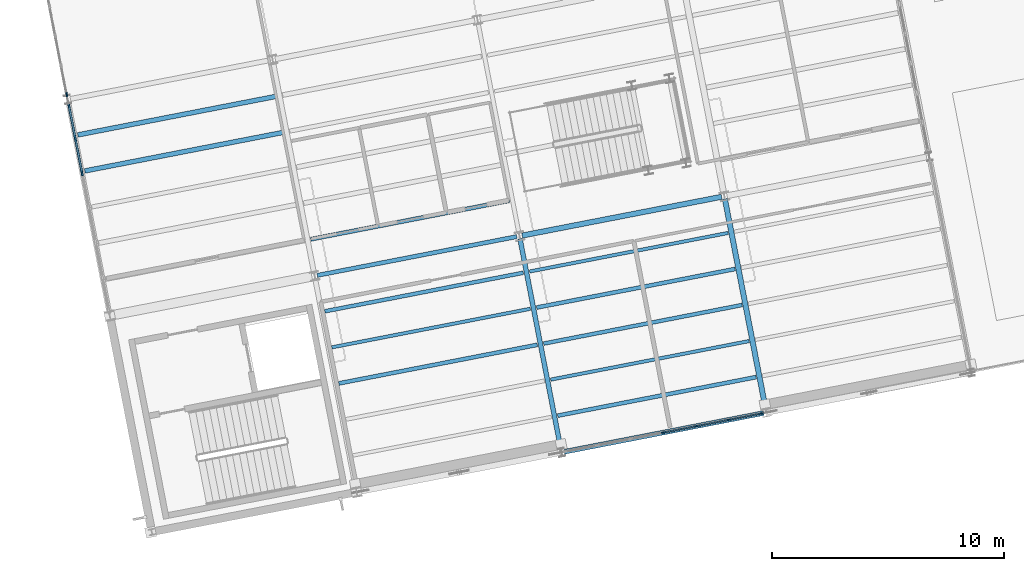
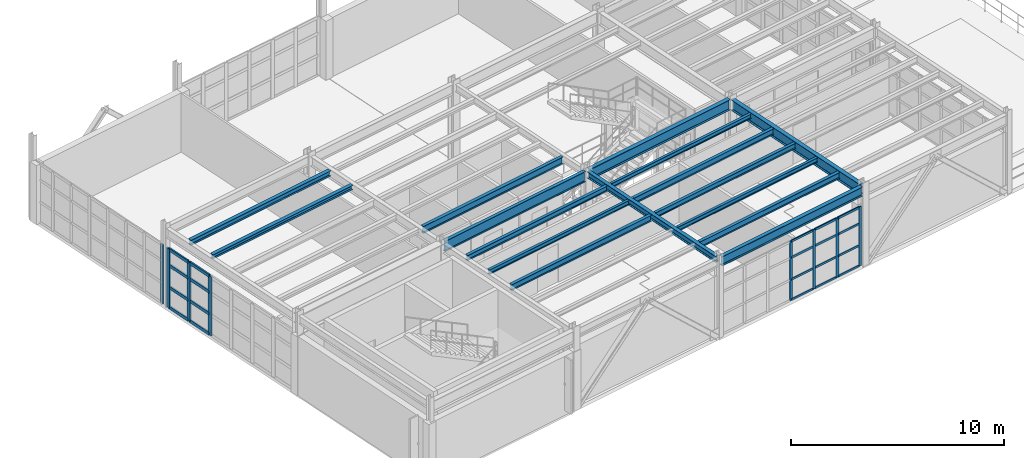
# One storey, part 21 of 109: 28 members, 16 beams, 3 elements without a shape of their own.
"""IFC4 building model written with IfcOpenShell, lengths in metres."""

from ifc_helpers import new_model, si_unit, direction, frame, origin, origin_2d, place, context, subcontext, project, spatial, rectangle, i_section, extrude, material, layer, layer_set, material_profile, profile_set, type_object, element, aggregate, save


model = new_model("IFC4")

# Units and contexts
model_context = context("Model", 3, precision=1e-05, world=origin(), true_north=direction((0.0, 1.0)))
body_context = subcontext(model_context, "Body", "Model", "MODEL_VIEW")
ifc_project = project(units=[si_unit("LENGTHUNIT", "METRE"), si_unit("AREAUNIT", "SQUARE_METRE"), si_unit("VOLUMEUNIT", "CUBIC_METRE"), si_unit("PLANEANGLEUNIT", "RADIAN"), si_unit("MASSUNIT", "GRAM", prefix="KILO")], contexts=[model_context])

# Site, building, storey
site_placement = place(None, origin())
site = spatial("IfcSite", under=ifc_project, at=site_placement, CompositionType="ELEMENT")
building_placement = place(site_placement, origin())
building = spatial("IfcBuilding", under=site, at=building_placement, Name="Vireo Bluff Cable Station", CompositionType="ELEMENT")
storey_placement = place(building_placement, frame((0.0, 0.0, 4.800048828125)))
storey = spatial("IfcBuildingStorey", under=building, at=storey_placement, Name="L01", CompositionType="ELEMENT", Elevation=4.800048828125)

# Beam
ifc_material_1 = material(Name="Steel ASTM A992 Gr. 50", Category="steel")
ifc_material_profile_1 = material_profile(ifc_material_1, i_section(OverallWidth=0.2041015625, OverallDepth=0.35009765625, WebThickness=0.008544921875, FlangeThickness=0.01513671875, FilletRadius=0.010009765625, at=origin_2d()), Name="W14X48")
ifc_profile_set_1 = profile_set([ifc_material_profile_1], Name="Steel ASTM A992 Gr. 50")
beam_type_1 = type_object("IfcBeamType", Name="BM-W14X48", PredefinedType="BEAM", material=ifc_profile_set_1)
beam_1_placement = place(storey_placement, frame((27.146484375, 9.05224609375, 4.364990234375), z_axis=(-0.190825202135, 0.981624033034, 0.0), x_axis=(-0.981624033034, -0.190825202135, 0.0)))
element("IfcBeam", 1, at=beam_1_placement, inside=storey, type_object=beam_type_1, Name="V5 L01 beam 1208", PredefinedType="BEAM", context=body_context, shape_type="SweptSolid", body=[
    extrude(i_section(OverallWidth=0.2041015625, OverallDepth=0.35009765625, WebThickness=0.008544921875, FlangeThickness=0.01513671875, FilletRadius=0.010009765625, at=origin_2d()), origin(), (0.0, 0.0, 1.0), 9.26025390625),
])

# Curtain wall, member
ifc_material_2 = material(Name="Anodized Aluminium 6063-T6", Category="aluminium")
ifc_layer_1 = layer(ifc_material_2, 0.179931640625, Name="Anodized Aluminium 6063-T6")
ifc_layer_set_1 = layer_set([ifc_layer_1], Name="Anodized Aluminium 6063-T6")
curtain_wall_type_1 = type_object("IfcCurtainWallType", Name="CW-UNIT-1400", PredefinedType="USERDEFINED", material=ifc_layer_set_1)
curtain_wall_1_placement = place(storey_placement, origin())
curtain_wall_1 = element("IfcCurtainWall", 2, at=curtain_wall_1_placement, inside=storey, type_object=curtain_wall_type_1, Name="V5 L01 west curtain wall CW-120", ObjectType="UNITISED CURTAIN WALL", PredefinedType="USERDEFINED")
ifc_material_profile_2 = material_profile(ifc_material_2, rectangle(XDim=0.06494140625, YDim=0.179931640625, at=origin_2d()), Name="ALU-M-65X180")
ifc_profile_set_2 = profile_set([ifc_material_profile_2], Name="Anodized Aluminium 6063-T6")
member_type_1 = type_object("IfcMemberType", Name="CWM-01", PredefinedType="MULLION", material=ifc_profile_set_2)
member_1_placement = place(storey_placement, frame((5.83349609375, 24.363037109375, 0.0), z_axis=(0.0, 0.0, 1.0), x_axis=(-0.981627182565, -0.190808999917, 0.0)))
member_1 = element("IfcMember", 3, at=member_1_placement, type_object=member_type_1, Name="CW-120 mullion 1", PredefinedType="MULLION", context=body_context, shape_type="SweptSolid", body=[
    extrude(rectangle(XDim=0.06494140625, YDim=0.179931640625, at=origin_2d()), origin(), (0.0, 0.0, 1.0), 3.39990234375),
])
aggregate(curtain_wall_1, [member_1])

# Curtain wall, members
ifc_layer_2 = layer(ifc_material_2, 0.179931640625, Name="Anodized Aluminium 6063-T6")
ifc_layer_set_2 = layer_set([ifc_layer_2], Name="Anodized Aluminium 6063-T6")
curtain_wall_type_2 = type_object("IfcCurtainWallType", Name="CW-UNIT-1500", PredefinedType="USERDEFINED", material=ifc_layer_set_2)
curtain_wall_2_placement = place(storey_placement, origin())
curtain_wall_2 = element("IfcCurtainWall", 4, at=curtain_wall_2_placement, inside=storey, type_object=curtain_wall_type_2, Name="V5 L01 south curtain wall CW-118", ObjectType="UNITISED CURTAIN WALL", PredefinedType="USERDEFINED")
ifc_material_profile_3 = material_profile(ifc_material_2, rectangle(XDim=0.06005859375, YDim=0.159912109375, at=origin_2d()), Name="ALU-M-60X160")
ifc_profile_set_3 = profile_set([ifc_material_profile_3], Name="Anodized Aluminium 6063-T6")
member_type_2 = type_object("IfcMemberType", Name="CWM-03", PredefinedType="MULLION", material=ifc_profile_set_3)
member_2_placement = place(storey_placement, frame((35.791015625, 10.6103515625, 0.0), z_axis=(0.0, 0.0, 1.0), x_axis=(0.190809095431, -0.981627163999, 0.0)))
member_2 = element("IfcMember", 5, at=member_2_placement, type_object=member_type_2, Name="CW-118 mullion 1", PredefinedType="MULLION", context=body_context, shape_type="SweptSolid", body=[
    extrude(rectangle(XDim=0.06005859375, YDim=0.159912109375, at=origin_2d()), origin(), (0.0, 0.0, 1.0), 3.39990234375),
])
member_3_placement = place(storey_placement, frame((34.39990234375, 10.340087890625, 0.0), z_axis=(0.0, 0.0, 1.0), x_axis=(0.190809095431, -0.981627163999, 0.0)))
member_3 = element("IfcMember", 6, at=member_3_placement, type_object=member_type_2, Name="CW-118 mullion 2", PredefinedType="MULLION", context=body_context, shape_type="SweptSolid", body=[
    extrude(rectangle(XDim=0.06005859375, YDim=0.159912109375, at=origin_2d()), origin(), (0.0, 0.0, 1.0), 3.39990234375),
])
member_4_placement = place(storey_placement, frame((32.9794921875, 10.06396484375, 0.0), z_axis=(0.0, 0.0, 1.0), x_axis=(0.190809095431, -0.981627163999, 0.0)))
member_4 = element("IfcMember", 7, at=member_4_placement, type_object=member_type_2, Name="CW-118 mullion 3", PredefinedType="MULLION", context=body_context, shape_type="SweptSolid", body=[
    extrude(rectangle(XDim=0.06005859375, YDim=0.159912109375, at=origin_2d()), origin(), (0.0, 0.0, 1.0), 3.39990234375),
])
member_5_placement = place(storey_placement, frame((31.558837890625, 9.787841796875, 0.0), z_axis=(0.0, 0.0, 1.0), x_axis=(0.190809095431, -0.981627163999, 0.0)))
member_5 = element("IfcMember", 8, at=member_5_placement, type_object=member_type_2, Name="CW-118 mullion 4", PredefinedType="MULLION", context=body_context, shape_type="SweptSolid", body=[
    extrude(rectangle(XDim=0.06005859375, YDim=0.159912109375, at=origin_2d()), origin(), (0.0, 0.0, 1.0), 3.39990234375),
])

ifc_layer_3 = layer(ifc_material_2, 0.179931640625, Name="Anodized Aluminium 6063-T6")
ifc_layer_set_3 = layer_set([ifc_layer_3], Name="Anodized Aluminium 6063-T6")
curtain_wall_type_3 = type_object("IfcCurtainWallType", Name="CW-UNIT-1650", PredefinedType="USERDEFINED", material=ifc_layer_set_3)
curtain_wall_3_placement = place(storey_placement, origin())
curtain_wall_3 = element("IfcCurtainWall", 9, at=curtain_wall_3_placement, inside=storey, type_object=curtain_wall_type_3, Name="V5 L01 west curtain wall CW-119", ObjectType="UNITISED CURTAIN WALL", PredefinedType="USERDEFINED")
ifc_material_profile_4 = material_profile(ifc_material_2, rectangle(XDim=0.080078125, YDim=0.239990234375, at=origin_2d()), Name="ALU-M-80X240")
ifc_profile_set_4 = profile_set([ifc_material_profile_4], Name="Anodized Aluminium 6063-T6")
member_type_3 = type_object("IfcMemberType", Name="CWM-04", PredefinedType="MULLION", material=ifc_profile_set_4)
member_6_placement = place(storey_placement, frame((6.49072265625, 20.98193359375, 0.0), z_axis=(0.0, 0.0, 1.0), x_axis=(-0.981627201165, -0.190808904231, 0.0)))
member_6 = element("IfcMember", 10, at=member_6_placement, type_object=member_type_3, Name="CW-119 mullion 5", PredefinedType="MULLION", context=body_context, shape_type="SweptSolid", body=[
    extrude(rectangle(XDim=0.080078125, YDim=0.239990234375, at=origin_2d()), origin(), (0.0, 0.0, 1.0), 3.39990234375),
])
member_7_placement = place(storey_placement, frame((6.2001953125, 22.476318359375, 0.0), z_axis=(0.0, 0.0, 1.0), x_axis=(-0.981627201165, -0.190808904231, 0.0)))
member_7 = element("IfcMember", 11, at=member_7_placement, type_object=member_type_3, Name="CW-119 mullion 6", PredefinedType="MULLION", context=body_context, shape_type="SweptSolid", body=[
    extrude(rectangle(XDim=0.080078125, YDim=0.239990234375, at=origin_2d()), origin(), (0.0, 0.0, 1.0), 3.39990234375),
])
member_8_placement = place(storey_placement, frame((5.917236328125, 23.931640625, 0.0), z_axis=(0.0, 0.0, 1.0), x_axis=(-0.981627201165, -0.190808904231, 0.0)))
member_8 = element("IfcMember", 12, at=member_8_placement, type_object=member_type_3, Name="CW-119 mullion 7", PredefinedType="MULLION", context=body_context, shape_type="SweptSolid", body=[
    extrude(rectangle(XDim=0.080078125, YDim=0.239990234375, at=origin_2d()), origin(), (0.0, 0.0, 1.0), 3.39990234375),
])

# Member
ifc_material_profile_5 = material_profile(ifc_material_2, rectangle(XDim=0.06005859375, YDim=0.1201171875, at=origin_2d()), Name="ALU-T-60X120")
ifc_profile_set_5 = profile_set([ifc_material_profile_5], Name="Anodized Aluminium 6063-T6")
member_type_4 = type_object("IfcMemberType", Name="CWT-03", PredefinedType="USERDEFINED", material=ifc_profile_set_5)
member_9_placement = place(storey_placement, frame((35.761474609375, 10.604736328125, 0.030029296875), z_axis=(-0.981611644055, -0.19088892125, 0.0), x_axis=(0.19088892125, -0.981611644055, 0.0)))
member_9 = element("IfcMember", 13, at=member_9_placement, type_object=member_type_4, Name="CW-118 transom 1.1", ObjectType="TRANSOM", PredefinedType="USERDEFINED", context=body_context, shape_type="SweptSolid", body=[
    extrude(rectangle(XDim=0.06005859375, YDim=0.1201171875, at=origin_2d()), origin(), (0.0, 0.0, 1.0), 1.35693359375),
])

member_10_placement = place(storey_placement, frame((35.761474609375, 10.604736328125, 1.18994140625), z_axis=(-0.981611644055, -0.19088892125, 0.0), x_axis=(0.19088892125, -0.981611644055, 0.0)))
member_10 = element("IfcMember", 14, at=member_10_placement, type_object=member_type_4, Name="CW-118 transom 1.2", ObjectType="TRANSOM", PredefinedType="USERDEFINED", context=body_context, shape_type="SweptSolid", body=[
    extrude(rectangle(XDim=0.06005859375, YDim=0.1201171875, at=origin_2d()), origin(), (0.0, 0.0, 1.0), 1.35693359375),
])

member_11_placement = place(storey_placement, frame((35.761474609375, 10.604736328125, 2.447998046875), z_axis=(-0.981611644055, -0.19088892125, 0.0), x_axis=(0.19088892125, -0.981611644055, 0.0)))
member_11 = element("IfcMember", 15, at=member_11_placement, type_object=member_type_4, Name="CW-118 transom 1.3", ObjectType="TRANSOM", PredefinedType="USERDEFINED", context=body_context, shape_type="SweptSolid", body=[
    extrude(rectangle(XDim=0.06005859375, YDim=0.1201171875, at=origin_2d()), origin(), (0.0, 0.0, 1.0), 1.35693359375),
])

member_12_placement = place(storey_placement, frame((35.761474609375, 10.604736328125, 3.369873046875), z_axis=(-0.981611644055, -0.19088892125, 0.0), x_axis=(0.19088892125, -0.981611644055, 0.0)))
member_12 = element("IfcMember", 16, at=member_12_placement, type_object=member_type_4, Name="CW-118 transom 1.4", ObjectType="TRANSOM", PredefinedType="USERDEFINED", context=body_context, shape_type="SweptSolid", body=[
    extrude(rectangle(XDim=0.06005859375, YDim=0.1201171875, at=origin_2d()), origin(), (0.0, 0.0, 1.0), 1.35693359375),
])

member_13_placement = place(storey_placement, frame((34.370361328125, 10.334228515625, 0.030029296875), z_axis=(-0.981629127981, -0.190798991345, 0.0), x_axis=(0.190798991345, -0.981629127981, 0.0)))
member_13 = element("IfcMember", 17, at=member_13_placement, type_object=member_type_4, Name="CW-118 transom 2.1", ObjectType="TRANSOM", PredefinedType="USERDEFINED", context=body_context, shape_type="SweptSolid", body=[
    extrude(rectangle(XDim=0.06005859375, YDim=0.1201171875, at=origin_2d()), origin(), (0.0, 0.0, 1.0), 1.386962890625),
])

member_14_placement = place(storey_placement, frame((34.370361328125, 10.334228515625, 1.18994140625), z_axis=(-0.981629127981, -0.190798991345, 0.0), x_axis=(0.190798991345, -0.981629127981, 0.0)))
member_14 = element("IfcMember", 18, at=member_14_placement, type_object=member_type_4, Name="CW-118 transom 2.2", ObjectType="TRANSOM", PredefinedType="USERDEFINED", context=body_context, shape_type="SweptSolid", body=[
    extrude(rectangle(XDim=0.06005859375, YDim=0.1201171875, at=origin_2d()), origin(), (0.0, 0.0, 1.0), 1.386962890625),
])

member_15_placement = place(storey_placement, frame((34.370361328125, 10.334228515625, 2.447998046875), z_axis=(-0.981629127981, -0.190798991345, 0.0), x_axis=(0.190798991345, -0.981629127981, 0.0)))
member_15 = element("IfcMember", 19, at=member_15_placement, type_object=member_type_4, Name="CW-118 transom 2.3", ObjectType="TRANSOM", PredefinedType="USERDEFINED", context=body_context, shape_type="SweptSolid", body=[
    extrude(rectangle(XDim=0.06005859375, YDim=0.1201171875, at=origin_2d()), origin(), (0.0, 0.0, 1.0), 1.386962890625),
])

member_16_placement = place(storey_placement, frame((34.370361328125, 10.334228515625, 3.369873046875), z_axis=(-0.981629127981, -0.190798991345, 0.0), x_axis=(0.190798991345, -0.981629127981, 0.0)))
member_16 = element("IfcMember", 20, at=member_16_placement, type_object=member_type_4, Name="CW-118 transom 2.4", ObjectType="TRANSOM", PredefinedType="USERDEFINED", context=body_context, shape_type="SweptSolid", body=[
    extrude(rectangle(XDim=0.06005859375, YDim=0.1201171875, at=origin_2d()), origin(), (0.0, 0.0, 1.0), 1.386962890625),
])

member_17_placement = place(storey_placement, frame((32.949951171875, 10.05810546875, 0.030029296875), z_axis=(-0.981629127981, -0.190798991345, 0.0), x_axis=(0.190798991345, -0.981629127981, 0.0)))
member_17 = element("IfcMember", 21, at=member_17_placement, type_object=member_type_4, Name="CW-118 transom 3.1", ObjectType="TRANSOM", PredefinedType="USERDEFINED", context=body_context, shape_type="SweptSolid", body=[
    extrude(rectangle(XDim=0.06005859375, YDim=0.1201171875, at=origin_2d()), origin(), (0.0, 0.0, 1.0), 1.386962890625),
])

member_18_placement = place(storey_placement, frame((32.949951171875, 10.05810546875, 1.18994140625), z_axis=(-0.981629127981, -0.190798991345, 0.0), x_axis=(0.190798991345, -0.981629127981, 0.0)))
member_18 = element("IfcMember", 22, at=member_18_placement, type_object=member_type_4, Name="CW-118 transom 3.2", ObjectType="TRANSOM", PredefinedType="USERDEFINED", context=body_context, shape_type="SweptSolid", body=[
    extrude(rectangle(XDim=0.06005859375, YDim=0.1201171875, at=origin_2d()), origin(), (0.0, 0.0, 1.0), 1.386962890625),
])

member_19_placement = place(storey_placement, frame((32.949951171875, 10.05810546875, 2.447998046875), z_axis=(-0.981629127981, -0.190798991345, 0.0), x_axis=(0.190798991345, -0.981629127981, 0.0)))
member_19 = element("IfcMember", 23, at=member_19_placement, type_object=member_type_4, Name="CW-118 transom 3.3", ObjectType="TRANSOM", PredefinedType="USERDEFINED", context=body_context, shape_type="SweptSolid", body=[
    extrude(rectangle(XDim=0.06005859375, YDim=0.1201171875, at=origin_2d()), origin(), (0.0, 0.0, 1.0), 1.386962890625),
])

member_20_placement = place(storey_placement, frame((32.949951171875, 10.05810546875, 3.369873046875), z_axis=(-0.981629127981, -0.190798991345, 0.0), x_axis=(0.190798991345, -0.981629127981, 0.0)))
member_20 = element("IfcMember", 24, at=member_20_placement, type_object=member_type_4, Name="CW-118 transom 3.4", ObjectType="TRANSOM", PredefinedType="USERDEFINED", context=body_context, shape_type="SweptSolid", body=[
    extrude(rectangle(XDim=0.06005859375, YDim=0.1201171875, at=origin_2d()), origin(), (0.0, 0.0, 1.0), 1.386962890625),
])

aggregate(curtain_wall_2, [member_2, member_3, member_4, member_5, member_9, member_10, member_11, member_12, member_13, member_14, member_15, member_16, member_17, member_18, member_19, member_20])

ifc_material_profile_6 = material_profile(ifc_material_2, rectangle(XDim=0.080078125, YDim=0.175048828125, at=origin_2d()), Name="ALU-T-80X175")
ifc_profile_set_6 = profile_set([ifc_material_profile_6], Name="Anodized Aluminium 6063-T6")
member_type_5 = type_object("IfcMemberType", Name="CWT-04", PredefinedType="USERDEFINED", material=ifc_profile_set_6)
member_21_placement = place(storey_placement, frame((6.48291015625, 21.021240234375, 0.0400390625), z_axis=(-0.190774511021, 0.981633885899, 0.0), x_axis=(-0.981633885899, -0.190774511021, 0.0)))
member_21 = element("IfcMember", 25, at=member_21_placement, type_object=member_type_5, Name="CW-119 transom 5.1", ObjectType="TRANSOM", PredefinedType="USERDEFINED", context=body_context, shape_type="SweptSolid", body=[
    extrude(rectangle(XDim=0.080078125, YDim=0.175048828125, at=origin_2d()), origin(), (0.0, 0.0, 1.0), 1.442138671875),
])

member_22_placement = place(storey_placement, frame((6.48291015625, 21.021240234375, 1.18994140625), z_axis=(-0.190774511021, 0.981633885899, 0.0), x_axis=(-0.981633885899, -0.190774511021, 0.0)))
member_22 = element("IfcMember", 26, at=member_22_placement, type_object=member_type_5, Name="CW-119 transom 5.2", ObjectType="TRANSOM", PredefinedType="USERDEFINED", context=body_context, shape_type="SweptSolid", body=[
    extrude(rectangle(XDim=0.080078125, YDim=0.175048828125, at=origin_2d()), origin(), (0.0, 0.0, 1.0), 1.442138671875),
])

member_23_placement = place(storey_placement, frame((6.48291015625, 21.021240234375, 2.447998046875), z_axis=(-0.190774511021, 0.981633885899, 0.0), x_axis=(-0.981633885899, -0.190774511021, 0.0)))
member_23 = element("IfcMember", 27, at=member_23_placement, type_object=member_type_5, Name="CW-119 transom 5.3", ObjectType="TRANSOM", PredefinedType="USERDEFINED", context=body_context, shape_type="SweptSolid", body=[
    extrude(rectangle(XDim=0.080078125, YDim=0.175048828125, at=origin_2d()), origin(), (0.0, 0.0, 1.0), 1.442138671875),
])

member_24_placement = place(storey_placement, frame((6.48291015625, 21.021240234375, 3.35986328125), z_axis=(-0.190774511021, 0.981633885899, 0.0), x_axis=(-0.981633885899, -0.190774511021, 0.0)))
member_24 = element("IfcMember", 28, at=member_24_placement, type_object=member_type_5, Name="CW-119 transom 5.4", ObjectType="TRANSOM", PredefinedType="USERDEFINED", context=body_context, shape_type="SweptSolid", body=[
    extrude(rectangle(XDim=0.080078125, YDim=0.175048828125, at=origin_2d()), origin(), (0.0, 0.0, 1.0), 1.442138671875),
])

member_25_placement = place(storey_placement, frame((6.1923828125, 22.515625, 0.0400390625), z_axis=(-0.190790449356, 0.981630788247, 0.0), x_axis=(-0.981630788247, -0.190790449356, 0.0)))
member_25 = element("IfcMember", 29, at=member_25_placement, type_object=member_type_5, Name="CW-119 transom 6.1", ObjectType="TRANSOM", PredefinedType="USERDEFINED", context=body_context, shape_type="SweptSolid", body=[
    extrude(rectangle(XDim=0.080078125, YDim=0.175048828125, at=origin_2d()), origin(), (0.0, 0.0, 1.0), 1.402587890625),
])

member_26_placement = place(storey_placement, frame((6.1923828125, 22.515625, 1.18994140625), z_axis=(-0.190790449356, 0.981630788247, 0.0), x_axis=(-0.981630788247, -0.190790449356, 0.0)))
member_26 = element("IfcMember", 30, at=member_26_placement, type_object=member_type_5, Name="CW-119 transom 6.2", ObjectType="TRANSOM", PredefinedType="USERDEFINED", context=body_context, shape_type="SweptSolid", body=[
    extrude(rectangle(XDim=0.080078125, YDim=0.175048828125, at=origin_2d()), origin(), (0.0, 0.0, 1.0), 1.402587890625),
])

member_27_placement = place(storey_placement, frame((6.1923828125, 22.515625, 2.447998046875), z_axis=(-0.190790449356, 0.981630788247, 0.0), x_axis=(-0.981630788247, -0.190790449356, 0.0)))
member_27 = element("IfcMember", 31, at=member_27_placement, type_object=member_type_5, Name="CW-119 transom 6.3", ObjectType="TRANSOM", PredefinedType="USERDEFINED", context=body_context, shape_type="SweptSolid", body=[
    extrude(rectangle(XDim=0.080078125, YDim=0.175048828125, at=origin_2d()), origin(), (0.0, 0.0, 1.0), 1.402587890625),
])

member_28_placement = place(storey_placement, frame((6.1923828125, 22.515625, 3.35986328125), z_axis=(-0.190790449356, 0.981630788247, 0.0), x_axis=(-0.981630788247, -0.190790449356, 0.0)))
member_28 = element("IfcMember", 32, at=member_28_placement, type_object=member_type_5, Name="CW-119 transom 6.4", ObjectType="TRANSOM", PredefinedType="USERDEFINED", context=body_context, shape_type="SweptSolid", body=[
    extrude(rectangle(XDim=0.080078125, YDim=0.175048828125, at=origin_2d()), origin(), (0.0, 0.0, 1.0), 1.402587890625),
])

aggregate(curtain_wall_3, [member_6, member_7, member_8, member_21, member_22, member_23, member_24, member_25, member_26, member_27, member_28])

# Beams
ifc_material_profile_7 = material_profile(ifc_material_1, i_section(OverallWidth=0.178955078125, OverallDepth=0.60302734375, WebThickness=0.010986328125, FlangeThickness=0.014892578125, FilletRadius=0.012939453125, at=origin_2d()), Name="W24X62")
ifc_profile_set_7 = profile_set([ifc_material_profile_7], Name="Steel ASTM A992 Gr. 50")
beam_type_2 = type_object("IfcBeamType", Name="GIR-W24X62", PredefinedType="USERDEFINED", material=ifc_profile_set_7)
beam_2_placement = place(storey_placement, frame((16.6396484375, 16.565673828125, 4.238525390625), z_axis=(0.981629601573, 0.190796554777, 0.0), x_axis=(-0.190796554777, 0.981629601573, 0.0)))
element("IfcBeam", 33, at=beam_2_placement, inside=storey, type_object=beam_type_2, Name="V5 L01 girder 1199", ObjectType="GIRDER", PredefinedType="USERDEFINED", context=body_context, shape_type="SweptSolid", body=[
    extrude(i_section(OverallWidth=0.178955078125, OverallDepth=0.60302734375, WebThickness=0.010986328125, FlangeThickness=0.014892578125, FilletRadius=0.012939453125, at=origin_2d()), origin(), (0.0, 0.0, 1.0), 8.760009765625),
])
ifc_material_profile_8 = material_profile(ifc_material_1, i_section(OverallWidth=0.22802734375, OverallDepth=0.60693359375, WebThickness=0.01123046875, FlangeThickness=0.017333984375, FilletRadius=0.012939453125, at=origin_2d()), Name="W24X76")
ifc_profile_set_8 = profile_set([ifc_material_profile_8], Name="Steel ASTM A992 Gr. 50")
beam_type_3 = type_object("IfcBeamType", Name="GIR-W24X76", PredefinedType="USERDEFINED", material=ifc_profile_set_8)
beam_3_placement = place(storey_placement, frame((25.474365234375, 18.282958984375, 4.236572265625), z_axis=(0.981629601573, 0.190796554777, 0.0), x_axis=(-0.190796554777, 0.981629601573, 0.0)))
element("IfcBeam", 34, at=beam_3_placement, inside=storey, type_object=beam_type_3, Name="V5 L01 girder 1200", ObjectType="GIRDER", PredefinedType="USERDEFINED", context=body_context, shape_type="SweptSolid", body=[
    extrude(i_section(OverallWidth=0.22802734375, OverallDepth=0.60693359375, WebThickness=0.01123046875, FlangeThickness=0.017333984375, FilletRadius=0.012939453125, at=origin_2d()), origin(), (0.0, 0.0, 1.0), 8.760009765625),
])
ifc_material_profile_9 = material_profile(ifc_material_1, i_section(OverallWidth=0.14599609375, OverallDepth=0.259033203125, WebThickness=0.006103515625, FlangeThickness=0.009033203125, FilletRadius=0.009033203125, at=origin_2d()), Name="W10X22")
ifc_profile_set_9 = profile_set([ifc_material_profile_9], Name="Steel ASTM A992 Gr. 50")
beam_type_4 = type_object("IfcBeamType", Name="JST-W10X22", PredefinedType="JOIST", material=ifc_profile_set_9)
for number, where, z_axis, x_axis, name in (
    (35, (17.263671875, 13.4609375, 4.410400390625), (0.981628064538, 0.190804462503, 0.0), (-0.190804462503, 0.981628064538, 0.0), "V5 L01 composite joist 1220"),
    (36, (26.702392578125, 12.06982421875, 4.410400390625), (0.981628064538, 0.190804462503, 0.0), (-0.190804462503, 0.981628064538, 0.0), "V5 L01 composite joist 1228"),
    (37, (25.796142578125, 16.732421875, 4.410400390625), (0.981628064538, 0.190804462503, 0.0), (-0.190804462503, 0.981628064538, 0.0), "V5 L01 composite joist 1231"),
):
    element("IfcBeam", number, at=place(storey_placement, frame(where, z_axis=z_axis, x_axis=x_axis)), inside=storey, type_object=beam_type_4, Name=name, PredefinedType="JOIST", context=body_context, shape_type="SweptSolid", body=[
        extrude(i_section(OverallWidth=0.14599609375, OverallDepth=0.259033203125, WebThickness=0.006103515625, FlangeThickness=0.009033203125, FilletRadius=0.009033203125, at=origin_2d()), origin(), (0.0, 0.0, 1.0), 8.719970703125),
    ])
ifc_material_profile_10 = material_profile(ifc_material_1, i_section(OverallWidth=0.201904296875, OverallDepth=0.2470703125, WebThickness=0.00732421875, FlangeThickness=0.010986328125, FilletRadius=0.009033203125, at=origin_2d()), Name="W10X33")
ifc_profile_set_10 = profile_set([ifc_material_profile_10], Name="Steel ASTM A992 Gr. 50")
beam_type_5 = type_object("IfcBeamType", Name="JST-W10X33", PredefinedType="JOIST", material=ifc_profile_set_10)
beam_4_placement = place(storey_placement, frame((6.6162109375, 21.069091796875, 4.41650390625), z_axis=(0.981628064538, 0.190804462503, 0.0), x_axis=(-0.190804462503, 0.981628064538, 0.0)))
element("IfcBeam", 38, at=beam_4_placement, inside=storey, type_object=beam_type_5, Name="V5 L01 composite joist 1215", PredefinedType="JOIST", context=body_context, shape_type="SweptSolid", body=[
    extrude(i_section(OverallWidth=0.201904296875, OverallDepth=0.2470703125, WebThickness=0.00732421875, FlangeThickness=0.010986328125, FilletRadius=0.009033203125, at=origin_2d()), origin(), (0.0, 0.0, 1.0), 8.719970703125),
])
ifc_material_profile_11 = material_profile(ifc_material_1, i_section(OverallWidth=0.1650390625, OverallDepth=0.31005859375, WebThickness=0.005859375, FlangeThickness=0.009765625, FilletRadius=0.010009765625, at=origin_2d()), Name="W12X26")
ifc_profile_set_11 = profile_set([ifc_material_profile_11], Name="Steel ASTM A992 Gr. 50")
beam_type_6 = type_object("IfcBeamType", Name="JST-W12X26", PredefinedType="JOIST", material=ifc_profile_set_11)
for number, where, z_axis, x_axis, name in (
    (39, (16.96142578125, 15.01513671875, 4.385009765625), (0.981628064538, 0.190804462503, 0.0), (-0.190804462503, 0.981628064538, 0.0), "V5 L01 composite joist 1221"),
    (40, (26.400390625, 13.6240234375, 4.385009765625), (0.981628064538, 0.190804462503, 0.0), (-0.190804462503, 0.981628064538, 0.0), "V5 L01 composite joist 1229"),
):
    element("IfcBeam", number, at=place(storey_placement, frame(where, z_axis=z_axis, x_axis=x_axis)), inside=storey, type_object=beam_type_6, Name=name, PredefinedType="JOIST", context=body_context, shape_type="SweptSolid", body=[
        extrude(i_section(OverallWidth=0.1650390625, OverallDepth=0.31005859375, WebThickness=0.005859375, FlangeThickness=0.009765625, FilletRadius=0.010009765625, at=origin_2d()), origin(), (0.0, 0.0, 1.0), 8.719970703125),
    ])
ifc_material_profile_12 = material_profile(ifc_material_1, i_section(OverallWidth=0.202880859375, OverallDepth=0.302978515625, WebThickness=0.007568359375, FlangeThickness=0.01318359375, FilletRadius=0.010009765625, at=origin_2d()), Name="W12X40")
ifc_profile_set_12 = profile_set([ifc_material_profile_12], Name="Steel ASTM A992 Gr. 50")
beam_type_7 = type_object("IfcBeamType", Name="JST-W12X40", PredefinedType="JOIST", material=ifc_profile_set_12)
beam_5_placement = place(storey_placement, frame((6.314208984375, 22.623291015625, 4.388427734375), z_axis=(0.98162282025, 0.190831440713, 0.0), x_axis=(-0.190831440713, 0.98162282025, 0.0)))
element("IfcBeam", 41, at=beam_5_placement, inside=storey, type_object=beam_type_7, Name="V5 L01 composite joist 1216", PredefinedType="JOIST", context=body_context, shape_type="SweptSolid", body=[
    extrude(i_section(OverallWidth=0.202880859375, OverallDepth=0.302978515625, WebThickness=0.007568359375, FlangeThickness=0.01318359375, FilletRadius=0.010009765625, at=origin_2d()), origin(), (0.0, 0.0, 1.0), 8.719970703125),
])
ifc_material_profile_13 = material_profile(ifc_material_1, i_section(OverallWidth=0.1708984375, OverallDepth=0.35107421875, WebThickness=0.0068359375, FlangeThickness=0.009765625, FilletRadius=0.010009765625, at=origin_2d()), Name="W14X30")
ifc_profile_set_13 = profile_set([ifc_material_profile_13], Name="Steel ASTM A992 Gr. 50")
beam_type_8 = type_object("IfcBeamType", Name="JST-W14X30", PredefinedType="JOIST", material=ifc_profile_set_13)
for number, where, z_axis, x_axis, name in (
    (42, (17.565673828125, 11.90673828125, 4.364501953125), (0.981628064538, 0.190804462503, 0.0), (-0.190804462503, 0.981628064538, 0.0), "V5 L01 composite joist 1219"),
    (43, (27.004638671875, 10.515625, 4.364501953125), (0.981628064538, 0.190804462503, 0.0), (-0.190804462503, 0.981628064538, 0.0), "V5 L01 composite joist 1227"),
    (44, (26.09814453125, 15.17822265625, 4.364501953125), (0.981628064538, 0.190804462503, 0.0), (-0.190804462503, 0.981628064538, 0.0), "V5 L01 composite joist 1230"),
):
    element("IfcBeam", number, at=place(storey_placement, frame(where, z_axis=z_axis, x_axis=x_axis)), inside=storey, type_object=beam_type_8, Name=name, PredefinedType="JOIST", context=body_context, shape_type="SweptSolid", body=[
        extrude(i_section(OverallWidth=0.1708984375, OverallDepth=0.35107421875, WebThickness=0.0068359375, FlangeThickness=0.009765625, FilletRadius=0.010009765625, at=origin_2d()), origin(), (0.0, 0.0, 1.0), 8.719970703125),
    ])
ifc_material_profile_14 = material_profile(ifc_material_1, i_section(OverallWidth=0.177978515625, OverallDepth=0.404052734375, WebThickness=0.007568359375, FlangeThickness=0.010986328125, FilletRadius=0.010009765625, at=origin_2d()), Name="W16X36")
ifc_profile_set_14 = profile_set([ifc_material_profile_14], Name="Steel ASTM A992 Gr. 50")
beam_type_9 = type_object("IfcBeamType", Name="JST-W16X36", PredefinedType="JOIST", material=ifc_profile_set_14)
beam_6_placement = place(storey_placement, frame((16.357177734375, 18.123779296875, 4.337890625), z_axis=(0.981628064538, 0.190804462503, 0.0), x_axis=(-0.190804462503, 0.981628064538, 0.0)))
element("IfcBeam", 45, at=beam_6_placement, inside=storey, type_object=beam_type_9, Name="V5 L01 composite joist 1222", PredefinedType="JOIST", context=body_context, shape_type="SweptSolid", body=[
    extrude(i_section(OverallWidth=0.177978515625, OverallDepth=0.404052734375, WebThickness=0.007568359375, FlangeThickness=0.010986328125, FilletRadius=0.010009765625, at=origin_2d()), origin(), (0.0, 0.0, 1.0), 8.719970703125),
])
ifc_material_profile_15 = material_profile(ifc_material_1, i_section(OverallWidth=0.2099609375, OverallDepth=0.535888671875, WebThickness=0.010986328125, FlangeThickness=0.017333984375, FilletRadius=0.012939453125, at=origin_2d()), Name="W21X68")
ifc_profile_set_15 = profile_set([ifc_material_profile_15], Name="Steel ASTM A992 Gr. 50")
beam_type_10 = type_object("IfcBeamType", Name="SPN-W21X68", PredefinedType="SPANDREL", material=ifc_profile_set_15)
beam_7_placement = place(storey_placement, frame((27.287109375, 8.95751953125, 4.27197265625), z_axis=(0.981629601573, 0.190796554777, 0.0), x_axis=(-0.190796554777, 0.981629601573, 0.0)))
element("IfcBeam", 46, at=beam_7_placement, inside=storey, type_object=beam_type_10, Name="V5 L01 spandrel 1197", PredefinedType="SPANDREL", context=body_context, shape_type="SweptSolid", body=[
    extrude(i_section(OverallWidth=0.2099609375, OverallDepth=0.535888671875, WebThickness=0.010986328125, FlangeThickness=0.017333984375, FilletRadius=0.012939453125, at=origin_2d()), origin(), (0.0, 0.0, 1.0), 8.760009765625),
])
ifc_material_profile_16 = material_profile(ifc_material_1, i_section(OverallWidth=0.22802734375, OverallDepth=0.60693359375, WebThickness=0.01123046875, FlangeThickness=0.017333984375, FilletRadius=0.012939453125, at=origin_2d()), Name="W24X76")
ifc_profile_set_16 = profile_set([ifc_material_profile_16], Name="Steel ASTM A992 Gr. 50")
beam_type_11 = type_object("IfcBeamType", Name="SPN-W24X76", PredefinedType="SPANDREL", material=ifc_profile_set_16)
beam_8_placement = place(storey_placement, frame((35.98095703125, 10.76953125, 4.236572265625), z_axis=(-0.190799797627, 0.981628971264, 0.0), x_axis=(-0.981628971264, -0.190799797627, 0.0)))
element("IfcBeam", 47, at=beam_8_placement, inside=storey, type_object=beam_type_11, Name="V5 L01 spandrel 1210", PredefinedType="SPANDREL", context=body_context, shape_type="SweptSolid", body=[
    extrude(i_section(OverallWidth=0.22802734375, OverallDepth=0.60693359375, WebThickness=0.01123046875, FlangeThickness=0.017333984375, FilletRadius=0.012939453125, at=origin_2d()), origin(), (0.0, 0.0, 1.0), 9.26025390625),
])

save(model, "model.ifc")
